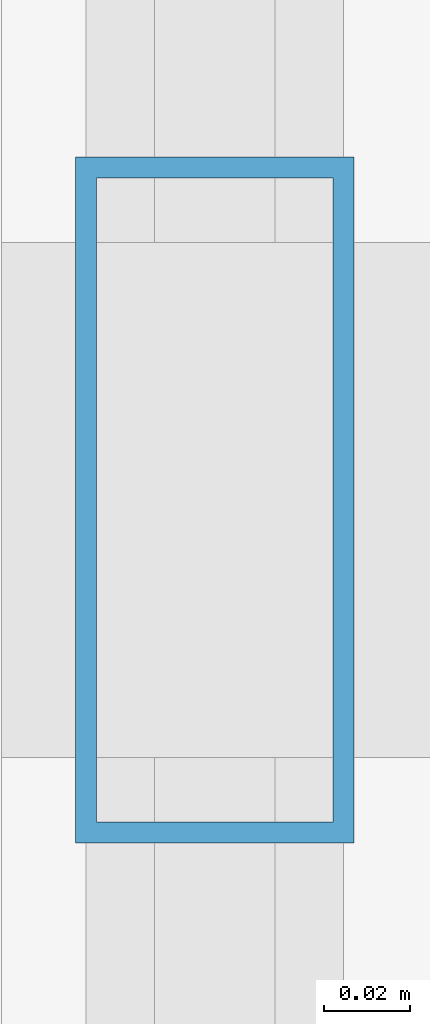
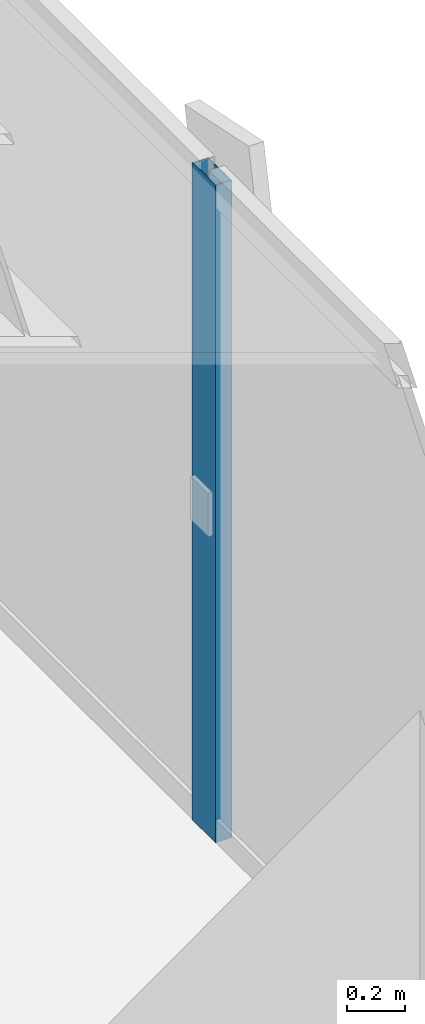
# One storey, part 11 of 28: 1 member, 1 element without a shape of its own.
"""IFC4 building model written with IfcOpenShell, lengths in metres."""

import ifcopenshell
import ifcopenshell.guid

model = None  # the IFC model being written
_history = None  # IfcOwnerHistory: only IFC2X3 demands one
_inside = {}  # id of a spatial element -> (the spatial element, [elements in it])
_under = {}  # id of a project, library or spatial element -> (it, [spatial elements below it])
_declared = {}  # id of a project -> (the project, [libraries it declares])
_typed = {}  # id of a type object -> (the type object, [elements of that type])
_made_of = {}  # id of a material, layer set ... -> (it, [elements and type objects made of it])


def new_model(schema):
    """Start an empty IFC model of exactly this schema.

    Asked for "IFC4X3", IfcOpenShell would pick the latest addendum, in which some entities
    have other attributes; the version numbers below select the first issue.
    IFC2X3 requires an IfcOwnerHistory on every rooted entity: one is made here for all.
    """
    global model, _history
    if schema == "IFC4X3":
        model = ifcopenshell.file(schema_version=(4, 3, 0, 0))
    else:
        model = ifcopenshell.file(schema=schema)
    _inside.clear()
    _under.clear()
    _declared.clear()
    _typed.clear()
    _made_of.clear()
    _history = None
    if model.schema == "IFC2X3":
        org = make("IfcOrganization", Name="unknown")
        user = make(
            "IfcPersonAndOrganization",
            ThePerson=make("IfcPerson", FamilyName="unknown"),
            TheOrganization=org,
        )
        app = make(
            "IfcApplication",
            ApplicationDeveloper=org,
            Version="unknown",
            ApplicationFullName="unknown",
            ApplicationIdentifier="unknown",
        )
        _history = make(
            "IfcOwnerHistory",
            OwningUser=user,
            OwningApplication=app,
            ChangeAction="ADDED",
            CreationDate=0,
        )
    return model


def make(cls, **values):
    """One entity of the class cls with the attributes given. An attribute that is None is left unset."""
    return model.create_entity(
        cls, **{name: value for name, value in values.items() if value is not None}
    )


def rooted(cls, **values):
    """An entity with a GlobalId (a new one), such as an element, a storey or a relation."""
    return make(cls, GlobalId=ifcopenshell.guid.new(), OwnerHistory=_history, **values)


def si_unit(unit_type, name, prefix=None):
    """IfcSIUnit, for example si_unit("LENGTHUNIT", "METRE", prefix="MILLI")."""
    return make("IfcSIUnit", UnitType=unit_type, Prefix=prefix, Name=name)


def assignment(units):
    """IfcUnitAssignment: the units of a project."""
    return None if units is None else make("IfcUnitAssignment", Units=units)


def point(xyz):
    """IfcCartesianPoint."""
    return None if xyz is None else make("IfcCartesianPoint", Coordinates=xyz)


def direction(xyz):
    """IfcDirection."""
    return None if xyz is None else make("IfcDirection", DirectionRatios=xyz)


def frame(location, z_axis=None, x_axis=None):
    """IfcAxis2Placement3D, a coordinate frame: its origin and axes. An axis left out is left unset."""
    return make(
        "IfcAxis2Placement3D",
        Location=point(location),
        Axis=direction(z_axis),
        RefDirection=direction(x_axis),
    )


def frame_2d(location, x_axis=None):
    """IfcAxis2Placement2D, a coordinate frame in the plane: its origin and x axis."""
    return make(
        "IfcAxis2Placement2D", Location=point(location), RefDirection=direction(x_axis)
    )


def origin():
    """The frame at (0, 0, 0) with its axes left unset."""
    return frame((0.0, 0.0, 0.0))


def origin_2d():
    """The frame at (0, 0) in the plane with its x axis left unset."""
    return frame_2d((0.0, 0.0))


def place(relative_to, where):
    """IfcLocalPlacement: puts the frame where relative to a parent placement (None: the world)."""
    return make(
        "IfcLocalPlacement", PlacementRelTo=relative_to, RelativePlacement=where
    )


def context(
    kind, dimensions, precision=None, world=None, true_north=None, identifier=None
):
    """IfcGeometricRepresentationContext, for example the 3D "Model" context."""
    return make(
        "IfcGeometricRepresentationContext",
        ContextIdentifier=identifier,
        ContextType=kind,
        CoordinateSpaceDimension=dimensions,
        Precision=precision,
        WorldCoordinateSystem=world,
        TrueNorth=true_north,
    )


def subcontext(parent, identifier, kind, view, scale=None):
    """IfcGeometricRepresentationSubContext, for example "Body" below "Model"."""
    return make(
        "IfcGeometricRepresentationSubContext",
        ContextIdentifier=identifier,
        ContextType=kind,
        ParentContext=parent,
        TargetScale=scale,
        TargetView=view,
    )


def project(units=None, contexts=None):
    """IfcProject with its units and contexts."""
    return rooted(
        "IfcProject",
        Name="project",
        RepresentationContexts=contexts,
        UnitsInContext=assignment(units),
    )


def spatial(cls, under=None, at=None, **own):
    """A site, building, storey or space (cls), placed at a placement, below another one or the project."""
    s = rooted(cls, ObjectPlacement=at, **own)
    if under is not None:
        _under.setdefault(under.id(), (under, []))[1].append(s)
    return s


def profile(cls, at=None, kind="AREA", **sizes):
    """A parametric profile (cls). Its sizes go by their IFC names, for example OverallWidth=200.0."""
    return make(cls, ProfileType=kind, Position=at, **sizes)


def hollow_rectangle(**sizes):
    """IfcRectangleHollowProfileDef."""
    return profile("IfcRectangleHollowProfileDef", **sizes)


def extrude(swept, where, along, depth):
    """IfcExtrudedAreaSolid: the profile swept, set in the frame where, extruded along a direction by depth."""
    return make(
        "IfcExtrudedAreaSolid",
        SweptArea=swept,
        Position=where,
        ExtrudedDirection=direction(along),
        Depth=depth,
    )


def shape(context_of_items, identifier, shape_type, items):
    """IfcShapeRepresentation: the items that make up one representation, for example the "Body"."""
    return make(
        "IfcShapeRepresentation",
        ContextOfItems=context_of_items,
        RepresentationIdentifier=identifier,
        RepresentationType=shape_type,
        Items=items,
    )


def source(mapping_origin, context_of_items, identifier, shape_type, items):
    """IfcRepresentationMap: a shape defined once, which mapped items show again and again."""
    return make(
        "IfcRepresentationMap",
        MappingOrigin=mapping_origin,
        MappedRepresentation=shape(context_of_items, identifier, shape_type, items),
    )


def transform(
    local_origin,
    x_axis=None,
    y_axis=None,
    z_axis=None,
    scale=None,
    scale2=None,
    scale3=None,
    uniform=True,
):
    """IfcCartesianTransformationOperator3D, or its non-uniform kind. x_axis, y_axis, z_axis: its Axis1, 2, 3."""
    if uniform:
        return make(
            "IfcCartesianTransformationOperator3D",
            Axis1=direction(x_axis),
            Axis2=direction(y_axis),
            LocalOrigin=point(local_origin),
            Scale=scale,
            Axis3=direction(z_axis),
        )
    return make(
        "IfcCartesianTransformationOperator3DnonUniform",
        Axis1=direction(x_axis),
        Axis2=direction(y_axis),
        LocalOrigin=point(local_origin),
        Scale=scale,
        Axis3=direction(z_axis),
        Scale2=scale2,
        Scale3=scale3,
    )


def mapped(mapping_source, mapping_target):
    """IfcMappedItem: shows the shape of a source again, moved by a transform."""
    return make(
        "IfcMappedItem", MappingSource=mapping_source, MappingTarget=mapping_target
    )


def material(Name=None, Category=None):
    """IfcMaterial."""
    return make("IfcMaterial", Name=Name, Category=Category)


def layer(
    of_material, thickness, ventilated=None, Name=None, Category=None, Priority=None
):
    """IfcMaterialLayer: one layer of a wall or slab, of a material (None: an air gap)."""
    return make(
        "IfcMaterialLayer",
        Material=of_material,
        LayerThickness=thickness,
        IsVentilated=ventilated,
        Name=Name,
        Category=Category,
        Priority=Priority,
    )


def layer_set(layers, Name=None):
    """IfcMaterialLayerSet."""
    return make("IfcMaterialLayerSet", MaterialLayers=layers, LayerSetName=Name)


def material_profile(
    of_material, cross_section, Name=None, Category=None, Priority=None
):
    """IfcMaterialProfile: a cross section and its material."""
    return make(
        "IfcMaterialProfile",
        Name=Name,
        Material=of_material,
        Profile=cross_section,
        Priority=Priority,
        Category=Category,
    )


def profile_set(profiles, Name=None, composite=None):
    """IfcMaterialProfileSet."""
    return make(
        "IfcMaterialProfileSet",
        Name=Name,
        MaterialProfiles=profiles,
        CompositeProfile=composite,
    )


def made_of(thing, what):
    """Note that an element or type object is made of a material, layer set ...; save() writes the relation."""
    if what is not None:
        _made_of.setdefault(what.id(), (what, []))[1].append(thing)
    return thing


def type_object(cls, material=None, **own):
    """A type object (cls), such as IfcWallType, which elements share."""
    return made_of(rooted(cls, **own), material)


def element(
    cls,
    number,
    at=None,
    inside=None,
    cuts=None,
    type_object=None,
    material=None,
    context=None,
    identifier="Body",
    shape_type=None,
    held_by="IfcProductDefinitionShape",
    body=None,
    shapes=None,
    **own,
):
    """One element of the class cls, such as IfcWall. Its Tag is "e" and its number.

    at: its placement. inside: the storey or other place that contains it. cuts: it is an
    opening in that element (IfcRelVoidsElement). A single representation is given by context,
    identifier, shape_type and body (its items); several are given by shapes. held_by: the class
    of the entity that holds the representations. save() writes the other relations.
    """
    e = rooted(cls, Tag="e%d" % number, ObjectPlacement=at, **own)
    if body is not None:
        shapes = [shape(context, identifier, shape_type, body)]
    if shapes is not None:
        e.Representation = make(held_by, Representations=shapes)
    if inside is not None:
        _inside.setdefault(inside.id(), (inside, []))[1].append(e)
    if cuts is not None:
        rooted(
            "IfcRelVoidsElement", RelatingBuildingElement=cuts, RelatedOpeningElement=e
        )
    if type_object is not None:
        _typed.setdefault(type_object.id(), (type_object, []))[1].append(e)
    return made_of(e, material)


def aggregate(whole, parts):
    """IfcRelAggregates: a whole, such as a stair, and the parts it consists of."""
    return rooted("IfcRelAggregates", RelatingObject=whole, RelatedObjects=parts)


def save(model, path):
    """Write the relations noted so far, then the file.

    IfcRelAggregates (storeys below a building ...), IfcRelContainedInSpatialStructure (elements
    in a storey), IfcRelDefinesByType, IfcRelAssociatesMaterial and IfcRelDeclares: one each for
    every whole, place, type object, material and project.
    """
    for whole, parts in _under.values():
        aggregate(whole, parts)
    for where, things in _inside.values():
        rooted(
            "IfcRelContainedInSpatialStructure",
            RelatedElements=things,
            RelatingStructure=where,
        )
    for kind, things in _typed.values():
        rooted("IfcRelDefinesByType", RelatedObjects=things, RelatingType=kind)
    for what, things in _made_of.values():
        rooted("IfcRelAssociatesMaterial", RelatedObjects=things, RelatingMaterial=what)
    for by, libraries in _declared.values():
        rooted("IfcRelDeclares", RelatingContext=by, RelatedDefinitions=libraries)
    model.write(path)


model = new_model("IFC4")

# Units and contexts
model_context = context("Model", 3, precision=1e-05, world=origin(), true_north=direction((0.0, 1.0)))
body_context = subcontext(model_context, "Body", "Model", "MODEL_VIEW")
ifc_project = project(units=[si_unit("LENGTHUNIT", "METRE"), si_unit("AREAUNIT", "SQUARE_METRE"), si_unit("VOLUMEUNIT", "CUBIC_METRE"), si_unit("PLANEANGLEUNIT", "RADIAN"), si_unit("MASSUNIT", "GRAM", prefix="KILO")], contexts=[model_context])

# Site, building, storey
site_placement = place(None, origin())
site = spatial("IfcSite", under=ifc_project, at=site_placement, CompositionType="ELEMENT")
building_placement = place(site_placement, origin())
building = spatial("IfcBuilding", under=site, at=building_placement, Name="Sumidabori Civic Tower", CompositionType="ELEMENT")
storey_placement = place(building_placement, frame((0.0, 0.0, 153.199951171875)))
storey = spatial("IfcBuildingStorey", under=building, at=storey_placement, Name="L39", CompositionType="ELEMENT", Elevation=153.199951171875)

# Curtain wall, member
ifc_material = material(Name="Anodised Bronze Aluminium AW-6063-T6", Category="aluminium")
ifc_layer = layer(ifc_material, 0.179931640625, Name="Anodised Bronze Aluminium AW-6063-T6")
ifc_layer_set = layer_set([ifc_layer], Name="Anodised Bronze Aluminium AW-6063-T6")
curtain_wall_type = type_object("IfcCurtainWallType", Name="CW-SYS-3", PredefinedType="NOTDEFINED", material=ifc_layer_set)
curtain_wall_placement = place(storey_placement, origin())
curtain_wall = element("IfcCurtainWall", 1, at=curtain_wall_placement, inside=storey, type_object=curtain_wall_type, Name="Curtain Wall CW:L39:R04", PredefinedType="NOTDEFINED")
ifc_material_profile = material_profile(ifc_material, hollow_rectangle(XDim=0.06494140625, YDim=0.159912109375, WallThickness=0.0048828125, at=origin_2d()), Name="ALU MULLION 160x65")
ifc_profile_set = profile_set([ifc_material_profile], Name="Anodised Bronze Aluminium AW-6063-T6")
member_type = type_object("IfcMemberType", Name="CW-MUL-160", PredefinedType="MULLION", material=ifc_profile_set)
shared_shape = source(origin(), body_context, "Body", "SweptSolid", [
    extrude(hollow_rectangle(XDim=0.06494140625, YDim=0.159912109375, WallThickness=0.0048828125, at=origin_2d()), origin(), (0.0, 0.0, 1.0), 2.760009765625),
])
member_placement = place(storey_placement, frame((23.8798828125, -8.0849609375, 0.0), z_axis=(0.0, 0.0, 1.0), x_axis=(-1.0, 0.0, 0.0)))
member = element("IfcMember", 2, at=member_placement, type_object=member_type, Name="CW-3 mullion 2", PredefinedType="MULLION", context=body_context, shape_type="MappedRepresentation", body=[
    mapped(shared_shape, transform((0.0, 0.0, 0.0), x_axis=(1.0, 0.0, 0.0), y_axis=(0.0, 1.0, 0.0), z_axis=(0.0, 0.0, 1.0), scale=1.0)),
])
aggregate(curtain_wall, [member])

save(model, "model.ifc")
